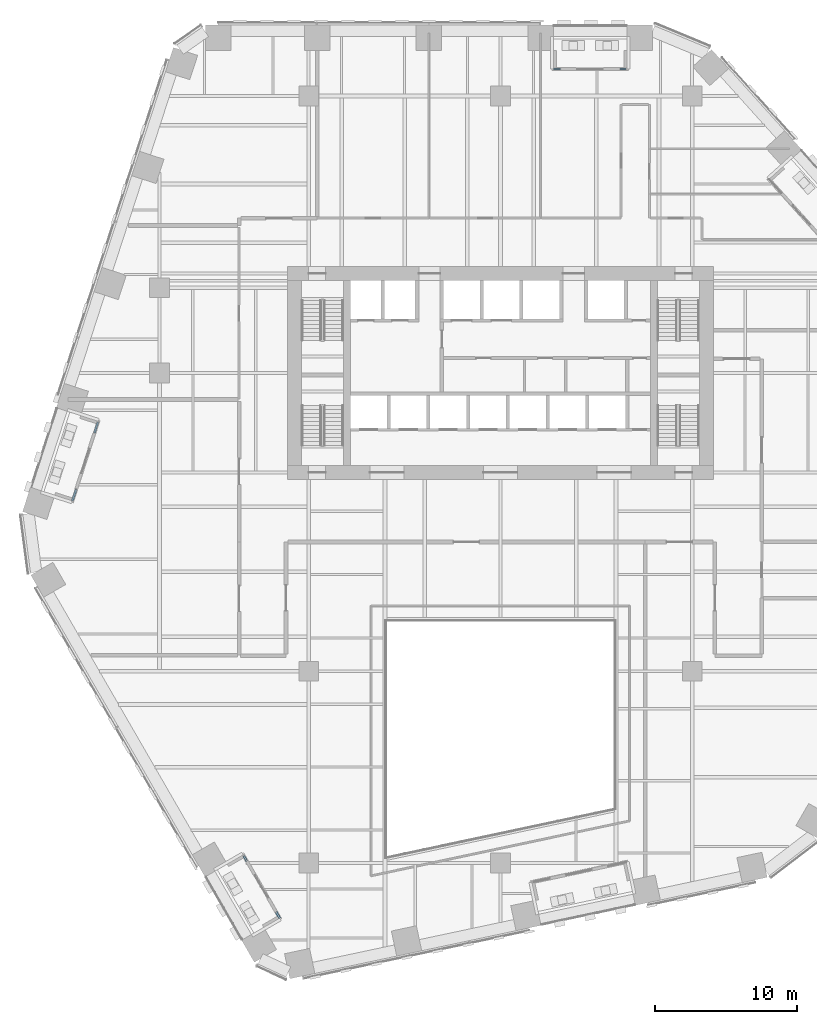
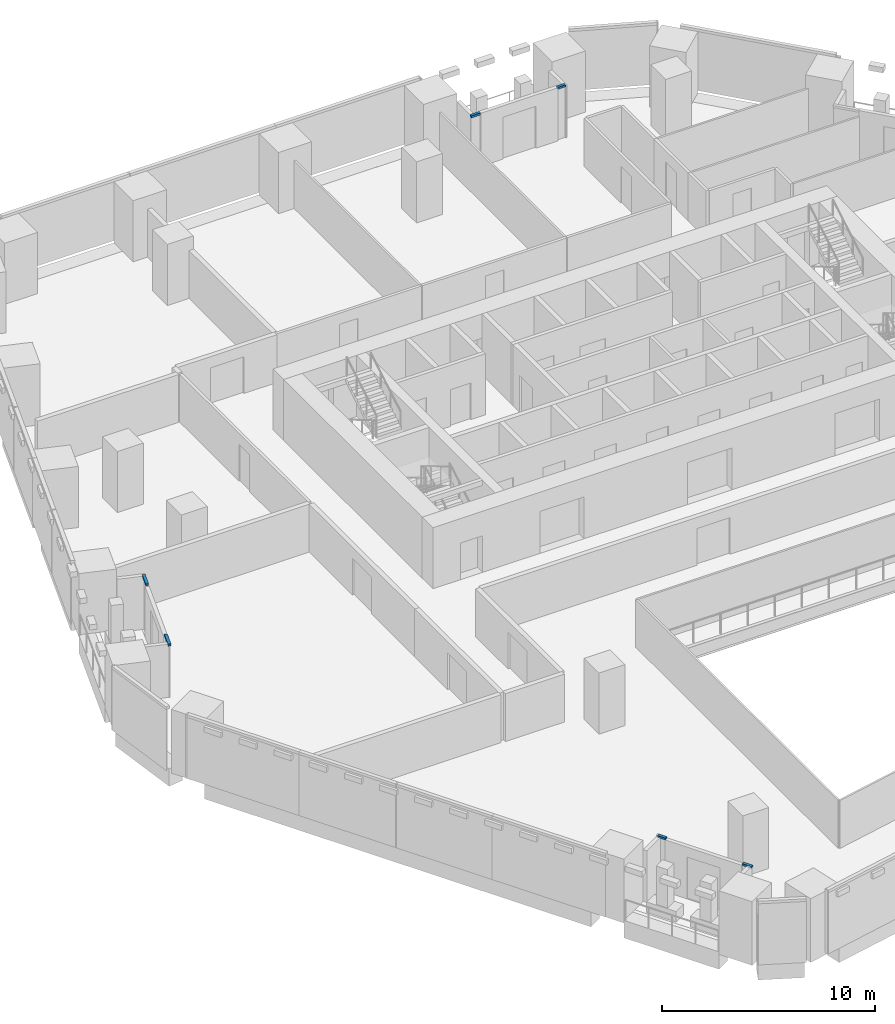
# One storey, part 14 of 31: 6 members, 3 elements without a shape of their own.
"""IFC4 building model written with IfcOpenShell, lengths in metres."""

import ifcopenshell
import ifcopenshell.guid

model = None  # the IFC model being written
_history = None  # IfcOwnerHistory: only IFC2X3 demands one
_inside = {}  # id of a spatial element -> (the spatial element, [elements in it])
_under = {}  # id of a project, library or spatial element -> (it, [spatial elements below it])
_declared = {}  # id of a project -> (the project, [libraries it declares])
_typed = {}  # id of a type object -> (the type object, [elements of that type])
_made_of = {}  # id of a material, layer set ... -> (it, [elements and type objects made of it])


def new_model(schema):
    """Start an empty IFC model of exactly this schema.

    Asked for "IFC4X3", IfcOpenShell would pick the latest addendum, in which some entities
    have other attributes; the version numbers below select the first issue.
    IFC2X3 requires an IfcOwnerHistory on every rooted entity: one is made here for all.
    """
    global model, _history
    if schema == "IFC4X3":
        model = ifcopenshell.file(schema_version=(4, 3, 0, 0))
    else:
        model = ifcopenshell.file(schema=schema)
    _inside.clear()
    _under.clear()
    _declared.clear()
    _typed.clear()
    _made_of.clear()
    _history = None
    if model.schema == "IFC2X3":
        org = make("IfcOrganization", Name="unknown")
        user = make(
            "IfcPersonAndOrganization",
            ThePerson=make("IfcPerson", FamilyName="unknown"),
            TheOrganization=org,
        )
        app = make(
            "IfcApplication",
            ApplicationDeveloper=org,
            Version="unknown",
            ApplicationFullName="unknown",
            ApplicationIdentifier="unknown",
        )
        _history = make(
            "IfcOwnerHistory",
            OwningUser=user,
            OwningApplication=app,
            ChangeAction="ADDED",
            CreationDate=0,
        )
    return model


def make(cls, **values):
    """One entity of the class cls with the attributes given. An attribute that is None is left unset."""
    return model.create_entity(
        cls, **{name: value for name, value in values.items() if value is not None}
    )


def rooted(cls, **values):
    """An entity with a GlobalId (a new one), such as an element, a storey or a relation."""
    return make(cls, GlobalId=ifcopenshell.guid.new(), OwnerHistory=_history, **values)


def si_unit(unit_type, name, prefix=None):
    """IfcSIUnit, for example si_unit("LENGTHUNIT", "METRE", prefix="MILLI")."""
    return make("IfcSIUnit", UnitType=unit_type, Prefix=prefix, Name=name)


def assignment(units):
    """IfcUnitAssignment: the units of a project."""
    return None if units is None else make("IfcUnitAssignment", Units=units)


def point(xyz):
    """IfcCartesianPoint."""
    return None if xyz is None else make("IfcCartesianPoint", Coordinates=xyz)


def direction(xyz):
    """IfcDirection."""
    return None if xyz is None else make("IfcDirection", DirectionRatios=xyz)


def frame(location, z_axis=None, x_axis=None):
    """IfcAxis2Placement3D, a coordinate frame: its origin and axes. An axis left out is left unset."""
    return make(
        "IfcAxis2Placement3D",
        Location=point(location),
        Axis=direction(z_axis),
        RefDirection=direction(x_axis),
    )


def frame_2d(location, x_axis=None):
    """IfcAxis2Placement2D, a coordinate frame in the plane: its origin and x axis."""
    return make(
        "IfcAxis2Placement2D", Location=point(location), RefDirection=direction(x_axis)
    )


def origin():
    """The frame at (0, 0, 0) with its axes left unset."""
    return frame((0.0, 0.0, 0.0))


def origin_2d():
    """The frame at (0, 0) in the plane with its x axis left unset."""
    return frame_2d((0.0, 0.0))


def place(relative_to, where):
    """IfcLocalPlacement: puts the frame where relative to a parent placement (None: the world)."""
    return make(
        "IfcLocalPlacement", PlacementRelTo=relative_to, RelativePlacement=where
    )


def context(
    kind, dimensions, precision=None, world=None, true_north=None, identifier=None
):
    """IfcGeometricRepresentationContext, for example the 3D "Model" context."""
    return make(
        "IfcGeometricRepresentationContext",
        ContextIdentifier=identifier,
        ContextType=kind,
        CoordinateSpaceDimension=dimensions,
        Precision=precision,
        WorldCoordinateSystem=world,
        TrueNorth=true_north,
    )


def subcontext(parent, identifier, kind, view, scale=None):
    """IfcGeometricRepresentationSubContext, for example "Body" below "Model"."""
    return make(
        "IfcGeometricRepresentationSubContext",
        ContextIdentifier=identifier,
        ContextType=kind,
        ParentContext=parent,
        TargetScale=scale,
        TargetView=view,
    )


def project(units=None, contexts=None):
    """IfcProject with its units and contexts."""
    return rooted(
        "IfcProject",
        Name="project",
        RepresentationContexts=contexts,
        UnitsInContext=assignment(units),
    )


def spatial(cls, under=None, at=None, **own):
    """A site, building, storey or space (cls), placed at a placement, below another one or the project."""
    s = rooted(cls, ObjectPlacement=at, **own)
    if under is not None:
        _under.setdefault(under.id(), (under, []))[1].append(s)
    return s


def profile(cls, at=None, kind="AREA", **sizes):
    """A parametric profile (cls). Its sizes go by their IFC names, for example OverallWidth=200.0."""
    return make(cls, ProfileType=kind, Position=at, **sizes)


def rectangle(**sizes):
    """IfcRectangleProfileDef."""
    return profile("IfcRectangleProfileDef", **sizes)


def extrude(swept, where, along, depth):
    """IfcExtrudedAreaSolid: the profile swept, set in the frame where, extruded along a direction by depth."""
    return make(
        "IfcExtrudedAreaSolid",
        SweptArea=swept,
        Position=where,
        ExtrudedDirection=direction(along),
        Depth=depth,
    )


def shape(context_of_items, identifier, shape_type, items):
    """IfcShapeRepresentation: the items that make up one representation, for example the "Body"."""
    return make(
        "IfcShapeRepresentation",
        ContextOfItems=context_of_items,
        RepresentationIdentifier=identifier,
        RepresentationType=shape_type,
        Items=items,
    )


def material(Name=None, Category=None):
    """IfcMaterial."""
    return make("IfcMaterial", Name=Name, Category=Category)


def layer(
    of_material, thickness, ventilated=None, Name=None, Category=None, Priority=None
):
    """IfcMaterialLayer: one layer of a wall or slab, of a material (None: an air gap)."""
    return make(
        "IfcMaterialLayer",
        Material=of_material,
        LayerThickness=thickness,
        IsVentilated=ventilated,
        Name=Name,
        Category=Category,
        Priority=Priority,
    )


def layer_set(layers, Name=None):
    """IfcMaterialLayerSet."""
    return make("IfcMaterialLayerSet", MaterialLayers=layers, LayerSetName=Name)


def material_profile(
    of_material, cross_section, Name=None, Category=None, Priority=None
):
    """IfcMaterialProfile: a cross section and its material."""
    return make(
        "IfcMaterialProfile",
        Name=Name,
        Material=of_material,
        Profile=cross_section,
        Priority=Priority,
        Category=Category,
    )


def profile_set(profiles, Name=None, composite=None):
    """IfcMaterialProfileSet."""
    return make(
        "IfcMaterialProfileSet",
        Name=Name,
        MaterialProfiles=profiles,
        CompositeProfile=composite,
    )


def made_of(thing, what):
    """Note that an element or type object is made of a material, layer set ...; save() writes the relation."""
    if what is not None:
        _made_of.setdefault(what.id(), (what, []))[1].append(thing)
    return thing


def type_object(cls, material=None, **own):
    """A type object (cls), such as IfcWallType, which elements share."""
    return made_of(rooted(cls, **own), material)


def element(
    cls,
    number,
    at=None,
    inside=None,
    cuts=None,
    type_object=None,
    material=None,
    context=None,
    identifier="Body",
    shape_type=None,
    held_by="IfcProductDefinitionShape",
    body=None,
    shapes=None,
    **own,
):
    """One element of the class cls, such as IfcWall. Its Tag is "e" and its number.

    at: its placement. inside: the storey or other place that contains it. cuts: it is an
    opening in that element (IfcRelVoidsElement). A single representation is given by context,
    identifier, shape_type and body (its items); several are given by shapes. held_by: the class
    of the entity that holds the representations. save() writes the other relations.
    """
    e = rooted(cls, Tag="e%d" % number, ObjectPlacement=at, **own)
    if body is not None:
        shapes = [shape(context, identifier, shape_type, body)]
    if shapes is not None:
        e.Representation = make(held_by, Representations=shapes)
    if inside is not None:
        _inside.setdefault(inside.id(), (inside, []))[1].append(e)
    if cuts is not None:
        rooted(
            "IfcRelVoidsElement", RelatingBuildingElement=cuts, RelatedOpeningElement=e
        )
    if type_object is not None:
        _typed.setdefault(type_object.id(), (type_object, []))[1].append(e)
    return made_of(e, material)


def aggregate(whole, parts):
    """IfcRelAggregates: a whole, such as a stair, and the parts it consists of."""
    return rooted("IfcRelAggregates", RelatingObject=whole, RelatedObjects=parts)


def save(model, path):
    """Write the relations noted so far, then the file.

    IfcRelAggregates (storeys below a building ...), IfcRelContainedInSpatialStructure (elements
    in a storey), IfcRelDefinesByType, IfcRelAssociatesMaterial and IfcRelDeclares: one each for
    every whole, place, type object, material and project.
    """
    for whole, parts in _under.values():
        aggregate(whole, parts)
    for where, things in _inside.values():
        rooted(
            "IfcRelContainedInSpatialStructure",
            RelatedElements=things,
            RelatingStructure=where,
        )
    for kind, things in _typed.values():
        rooted("IfcRelDefinesByType", RelatedObjects=things, RelatingType=kind)
    for what, things in _made_of.values():
        rooted("IfcRelAssociatesMaterial", RelatedObjects=things, RelatingMaterial=what)
    for by, libraries in _declared.values():
        rooted("IfcRelDeclares", RelatingContext=by, RelatedDefinitions=libraries)
    model.write(path)


model = new_model("IFC4")

# Units and contexts
model_context = context("Model", 3, precision=1e-05, world=origin(), true_north=direction((0.0, 1.0)))
body_context = subcontext(model_context, "Body", "Model", "MODEL_VIEW")
ifc_project = project(units=[si_unit("LENGTHUNIT", "METRE"), si_unit("AREAUNIT", "SQUARE_METRE"), si_unit("VOLUMEUNIT", "CUBIC_METRE"), si_unit("PLANEANGLEUNIT", "RADIAN"), si_unit("MASSUNIT", "GRAM", prefix="KILO")], contexts=[model_context])

# Site, building, storey
site_placement = place(None, origin())
site = spatial("IfcSite", under=ifc_project, at=site_placement, CompositionType="ELEMENT")
building_placement = place(site_placement, origin())
building = spatial("IfcBuilding", under=site, at=building_placement, Name="Isthmus Gate Tower", CompositionType="ELEMENT")
storey_placement = place(building_placement, frame((0.0, 0.0, 39.64990234375)))
storey = spatial("IfcBuildingStorey", under=building, at=storey_placement, Name="L07", CompositionType="ELEMENT", Elevation=39.64990234375)

# Curtain wall, members
ifc_material_1 = material(Name="Aluminium, pale champagne anodised", Category="aluminium")
ifc_layer = layer(ifc_material_1, 0.14990234375)
ifc_layer_set = layer_set([ifc_layer], Name="CW-6 LOGGIA BACK WALL GLAZING 150 DEEP")
curtain_wall_type = type_object("IfcCurtainWallType", Name="CW-6 LOGGIA BACK WALL GLAZING 150 DEEP", PredefinedType="NOTDEFINED", material=ifc_layer_set)
curtain_wall_1_placement = place(storey_placement, origin())
curtain_wall_1 = element("IfcCurtainWall", 1, at=curtain_wall_1_placement, inside=storey, type_object=curtain_wall_type, Name="CW-6 N L07", PredefinedType="NOTDEFINED")
ifc_material_2 = material(Name="Aluminium, pale champagne anodised", Category="aluminium")
ifc_material_profile = material_profile(ifc_material_2, rectangle(XDim=0.14990234375, YDim=0.1201171875, at=origin_2d()), Name="150x120")
ifc_profile_set = profile_set([ifc_material_profile], Name="Aluminium, pale champagne anodised")
member_type = type_object("IfcMemberType", Name="CW-6 TRANSOM 150 X 120", PredefinedType="USERDEFINED", material=ifc_profile_set)
member_1_placement = place(storey_placement, frame((8.841796875, 28.89990234375, 2.989990234375), z_axis=(-1.0, 0.0, 0.0), x_axis=(0.0, -1.0, 0.0)))
member_1 = element("IfcMember", 2, at=member_1_placement, type_object=member_type, Name="CW-6 transom", ObjectType="TRANSOM", PredefinedType="USERDEFINED", context=body_context, shape_type="SweptSolid", body=[
    extrude(rectangle(XDim=0.14990234375, YDim=0.1201171875, at=origin_2d()), origin(), (0.0, 0.0, 1.0), 0.43994140625),
])
member_2_placement = place(storey_placement, frame((4.232421875, 28.89990234375, 2.989990234375), z_axis=(-1.0, 0.0, 0.0), x_axis=(0.0, -1.0, 0.0)))
member_2 = element("IfcMember", 3, at=member_2_placement, type_object=member_type, Name="CW-6 transom", ObjectType="TRANSOM", PredefinedType="USERDEFINED", context=body_context, shape_type="SweptSolid", body=[
    extrude(rectangle(XDim=0.14990234375, YDim=0.1201171875, at=origin_2d()), origin(), (0.0, 0.0, 1.0), 0.5),
])
aggregate(curtain_wall_1, [member_1, member_2])

curtain_wall_2_placement = place(storey_placement, origin())
curtain_wall_2 = element("IfcCurtainWall", 4, at=curtain_wall_2_placement, inside=storey, type_object=curtain_wall_type, Name="CW-6 NW L07", PredefinedType="NOTDEFINED")
member_3_placement = place(storey_placement, frame((-28.34033203125, 4.037109375, 2.989990234375), z_axis=(-0.308938336802, -0.951082070094, 0.0), x_axis=(0.951082070094, -0.308938336802, 0.0)))
member_3 = element("IfcMember", 5, at=member_3_placement, type_object=member_type, Name="CW-6 transom", ObjectType="TRANSOM", PredefinedType="USERDEFINED", context=body_context, shape_type="SweptSolid", body=[
    extrude(rectangle(XDim=0.14990234375, YDim=0.1201171875, at=origin_2d()), origin(), (0.0, 0.0, 1.0), 0.78466796875),
])
member_4_placement = place(storey_placement, frame((-29.880615234375, -0.70361328125, 2.989990234375), z_axis=(-0.309020707094, -0.951055309952, 0.0), x_axis=(0.951055309952, -0.309020707094, 0.0)))
member_4 = element("IfcMember", 6, at=member_4_placement, type_object=member_type, Name="CW-6 transom", ObjectType="TRANSOM", PredefinedType="USERDEFINED", context=body_context, shape_type="SweptSolid", body=[
    extrude(rectangle(XDim=0.14990234375, YDim=0.1201171875, at=origin_2d()), origin(), (0.0, 0.0, 1.0), 0.844482421875),
])
aggregate(curtain_wall_2, [member_3, member_4])

curtain_wall_3_placement = place(storey_placement, origin())
curtain_wall_3 = element("IfcCurtainWall", 7, at=curtain_wall_3_placement, inside=storey, type_object=curtain_wall_type, Name="CW-6 SW L07", PredefinedType="NOTDEFINED")
member_5_placement = place(storey_placement, frame((-18.081787109375, -26.4814453125, 2.989990234375), z_axis=(0.499898558967, -0.866083962871, 0.0), x_axis=(0.866083962871, 0.499898558967, 0.0)))
member_5 = element("IfcMember", 8, at=member_5_placement, type_object=member_type, Name="CW-6 transom", ObjectType="TRANSOM", PredefinedType="USERDEFINED", context=body_context, shape_type="SweptSolid", body=[
    extrude(rectangle(XDim=0.14990234375, YDim=0.1201171875, at=origin_2d()), origin(), (0.0, 0.0, 1.0), 0.43994140625),
])
member_6_placement = place(storey_placement, frame((-15.7900390625, -30.450927734375, 2.989990234375), z_axis=(0.500131122175, -0.865949687125, 0.0), x_axis=(0.865949687125, 0.500131122175, 0.0)))
member_6 = element("IfcMember", 9, at=member_6_placement, type_object=member_type, Name="CW-6 transom", ObjectType="TRANSOM", PredefinedType="USERDEFINED", context=body_context, shape_type="SweptSolid", body=[
    extrude(rectangle(XDim=0.14990234375, YDim=0.1201171875, at=origin_2d()), origin(), (0.0, 0.0, 1.0), 0.499755859375),
])
aggregate(curtain_wall_3, [member_5, member_6])

save(model, "model.ifc")
